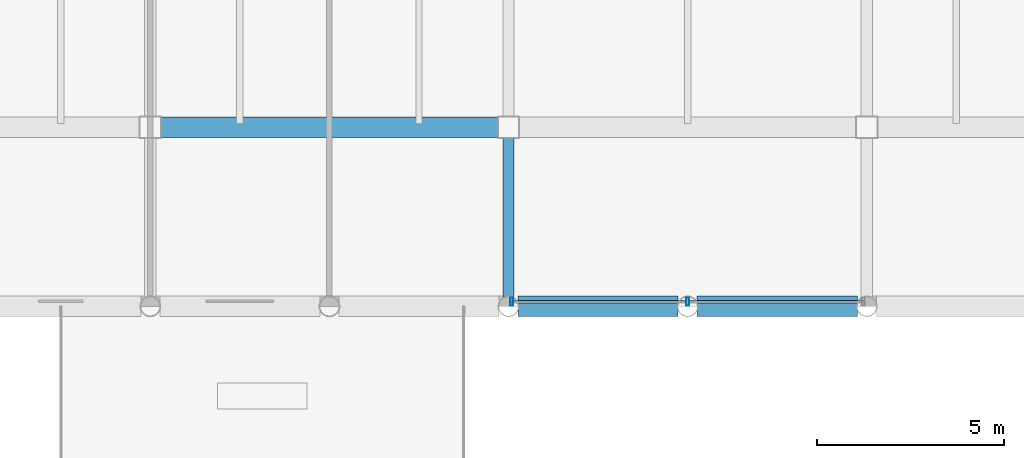
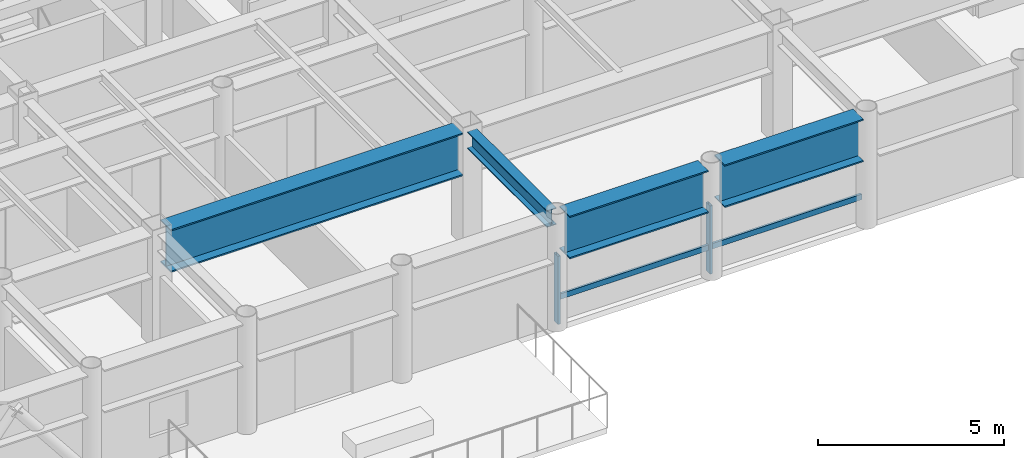
# One storey, part 4 of 26: 4 beams, 4 members, 1 element without a shape of its own.
"""IFC4 building model written with IfcOpenShell, lengths in metres."""

from ifc_helpers import new_model, si_unit, direction, frame, origin, origin_2d, place, context, subcontext, project, spatial, hollow_rectangle, i_section, extrude, material, layer, layer_set, material_profile, profile_set, type_object, element, aggregate, save


model = new_model("IFC4")

# Units and contexts
model_context = context("Model", 3, precision=1e-05, world=origin(), true_north=direction((0.0, 1.0)))
body_context = subcontext(model_context, "Body", "Model", "MODEL_VIEW")
ifc_project = project(units=[si_unit("LENGTHUNIT", "METRE"), si_unit("AREAUNIT", "SQUARE_METRE"), si_unit("VOLUMEUNIT", "CUBIC_METRE"), si_unit("PLANEANGLEUNIT", "RADIAN"), si_unit("MASSUNIT", "GRAM", prefix="KILO")], contexts=[model_context])

# Site, building, storey
site_placement = place(None, origin())
site = spatial("IfcSite", under=ifc_project, at=site_placement, CompositionType="ELEMENT")
building_placement = place(site_placement, origin())
building = spatial("IfcBuilding", under=site, at=building_placement, Name="Kallvorn Hotel Tower", CompositionType="ELEMENT")
storey_placement = place(building_placement, frame((0.0, 0.0, 222.300048828125)))
storey = spatial("IfcBuildingStorey", under=building, at=storey_placement, Name="L55", CompositionType="ELEMENT", Elevation=222.300048828125)

# Beams
ifc_material_1 = material(Name="Structural steel S355JR", Category="steel")
ifc_material_profile_1 = material_profile(ifc_material_1, i_section(OverallWidth=0.300048828125, OverallDepth=0.550048828125, WebThickness=0.014892578125, FlangeThickness=0.029052734375, at=origin_2d()), Name="HE 550 B")
ifc_profile_set_1 = profile_set([ifc_material_profile_1], Name="Structural steel S355JR")
beam_type_1 = type_object("IfcBeamType", Name="BM_HE550B", PredefinedType="SPANDREL", material=ifc_profile_set_1)
beam_1_placement = place(storey_placement, frame((-4.800048828125, -18.945556640625, 3.39501953125), z_axis=(0.0, 1.0, 0.0), x_axis=(-1.0, 0.0, 0.0)))
element("IfcBeam", 1, at=beam_1_placement, inside=storey, type_object=beam_type_1, Name="L56 Primary Y-Girder 105", PredefinedType="SPANDREL", context=body_context, shape_type="SweptSolid", body=[
    extrude(i_section(OverallWidth=0.300048828125, OverallDepth=0.550048828125, WebThickness=0.014892578125, FlangeThickness=0.029052734375, at=origin_2d()), origin(), (0.0, 0.0, 1.0), 4.2705078125),
])
ifc_material_2 = material(Name="Structural steel S355JR", Category="steel")
ifc_material_profile_2 = material_profile(ifc_material_2, i_section(OverallWidth=0.550048828125, OverallDepth=1.39990234375, WebThickness=0.02490234375, FlangeThickness=0.044921875, at=origin_2d()), Name="PG 1400x550x25x45")
ifc_profile_set_2 = profile_set([ifc_material_profile_2], Name="Structural steel S355JR")
beam_type_2 = type_object("IfcBeamType", Name="BM_PG_1400", PredefinedType="BEAM", material=ifc_profile_set_2)
for number, where, z_axis, x_axis, name in (
    (2, (-4.54541015625, -19.199951171875, 2.969970703125), (1.0, 0.0, 0.0), (0.0, 1.0, 0.0), "L56 Primary X-Girder 06"),
    (3, (0.25439453125, -19.199951171875, 2.969970703125), (1.0, 0.0, 0.0), (0.0, 1.0, 0.0), "L56 Primary X-Girder 07"),
):
    element("IfcBeam", number, at=place(storey_placement, frame(where, z_axis=z_axis, x_axis=x_axis)), inside=storey, type_object=beam_type_2, Name=name, PredefinedType="BEAM", context=body_context, shape_type="SweptSolid", body=[
        extrude(i_section(OverallWidth=0.550048828125, OverallDepth=1.39990234375, WebThickness=0.02490234375, FlangeThickness=0.044921875, at=origin_2d()), origin(), (0.0, 0.0, 1.0), 4.291015625),
    ])
beam_2_placement = place(storey_placement, frame((-14.125, -14.39990234375, 2.969970703125), z_axis=(1.0, 0.0, 0.0), x_axis=(0.0, 1.0, 0.0)))
element("IfcBeam", 4, at=beam_2_placement, inside=storey, type_object=beam_type_2, Name="L56 Primary X-Girder 16", PredefinedType="BEAM", context=body_context, shape_type="SweptSolid", body=[
    extrude(i_section(OverallWidth=0.550048828125, OverallDepth=1.39990234375, WebThickness=0.02490234375, FlangeThickness=0.044921875, at=origin_2d()), origin(), (0.0, 0.0, 1.0), 9.050048828125),
])

# Curtain wall, members
ifc_material_3 = material(Name="Thermally broken black-anodised aluminium AA 6063-T6", Category="aluminium")
ifc_layer = layer(ifc_material_3, 0.22998046875)
ifc_layer_set = layer_set([ifc_layer], Name="CW_SYS_5_HOTEL_HIGH")
curtain_wall_type = type_object("IfcCurtainWallType", Name="CW_SYS_5_HOTEL_HIGH", PredefinedType="USERDEFINED", material=ifc_layer_set)
curtain_wall_placement = place(storey_placement, origin())
curtain_wall = element("IfcCurtainWall", 5, at=curtain_wall_placement, inside=storey, type_object=curtain_wall_type, Name="L55 Dark-Glass Curtain Wall CW-L55-SC", ObjectType="UNITISED CURTAIN WALL", PredefinedType="USERDEFINED")
ifc_material_4 = material(Name="Thermally broken black-anodised aluminium AA 6063-T6", Category="aluminium")
ifc_material_profile_3 = material_profile(ifc_material_4, hollow_rectangle(XDim=0.080078125, YDim=0.219970703125, WallThickness=0.0048828125, at=origin_2d()), Name="MUL 220x80")
ifc_profile_set_3 = profile_set([ifc_material_profile_3], Name="Thermally broken black-anodised aluminium AA 6063-T6")
member_type_1 = type_object("IfcMemberType", Name="CW_MULLION_220x80", PredefinedType="MULLION", material=ifc_profile_set_3)
member_1_placement = place(storey_placement, frame((-4.7099609375, -19.080078125, 0.02001953125), z_axis=(0.0, 0.0, 1.0), x_axis=(1.0, 0.0, 0.0)))
member_1 = element("IfcMember", 6, at=member_1_placement, type_object=member_type_1, Name="CW-L55-SC Mullion 00", PredefinedType="MULLION", context=body_context, shape_type="SweptSolid", body=[
    extrude(hollow_rectangle(XDim=0.080078125, YDim=0.219970703125, WallThickness=0.0048828125, at=origin_2d()), origin(), (0.0, 0.0, 1.0), 2.22998046875),
])
member_2_placement = place(storey_placement, frame((0.0, -19.080078125, 0.02001953125), z_axis=(0.0, 0.0, 1.0), x_axis=(1.0, 0.0, 0.0)))
member_2 = element("IfcMember", 7, at=member_2_placement, type_object=member_type_1, Name="CW-L55-SC Mullion 01", PredefinedType="MULLION", context=body_context, shape_type="SweptSolid", body=[
    extrude(hollow_rectangle(XDim=0.080078125, YDim=0.219970703125, WallThickness=0.0048828125, at=origin_2d()), origin(), (0.0, 0.0, 1.0), 2.22998046875),
])
ifc_material_5 = material(Name="Thermally broken black-anodised aluminium AA 6063-T6", Category="aluminium")
ifc_material_profile_4 = material_profile(ifc_material_5, hollow_rectangle(XDim=0.070068359375, YDim=0.179931640625, WallThickness=0.00390625, at=origin_2d()), Name="TRN 180x70")
ifc_profile_set_4 = profile_set([ifc_material_profile_4], Name="Thermally broken black-anodised aluminium AA 6063-T6")
member_type_2 = type_object("IfcMemberType", Name="CW_TRANSOM_180x70", PredefinedType="USERDEFINED", material=ifc_profile_set_4)
member_3_placement = place(storey_placement, frame((-4.7099609375, -19.080078125, 0.849853515625), z_axis=(1.0, 0.0, 0.0), x_axis=(0.0, 1.0, 0.0)))
member_3 = element("IfcMember", 8, at=member_3_placement, type_object=member_type_2, Name="CW-L55-SC Transom 00M", ObjectType="TRANSOM", PredefinedType="USERDEFINED", context=body_context, shape_type="SweptSolid", body=[
    extrude(hollow_rectangle(XDim=0.070068359375, YDim=0.179931640625, WallThickness=0.00390625, at=origin_2d()), origin(), (0.0, 0.0, 1.0), 4.669921875),
])
member_4_placement = place(storey_placement, frame((0.0400390625, -19.080078125, 0.849853515625), z_axis=(1.0, 0.0, 0.0), x_axis=(0.0, 1.0, 0.0)))
member_4 = element("IfcMember", 9, at=member_4_placement, type_object=member_type_2, Name="CW-L55-SC Transom 01M", ObjectType="TRANSOM", PredefinedType="USERDEFINED", context=body_context, shape_type="SweptSolid", body=[
    extrude(hollow_rectangle(XDim=0.070068359375, YDim=0.179931640625, WallThickness=0.00390625, at=origin_2d()), origin(), (0.0, 0.0, 1.0), 4.669921875),
])
aggregate(curtain_wall, [member_1, member_2, member_3, member_4])

save(model, "model.ifc")
